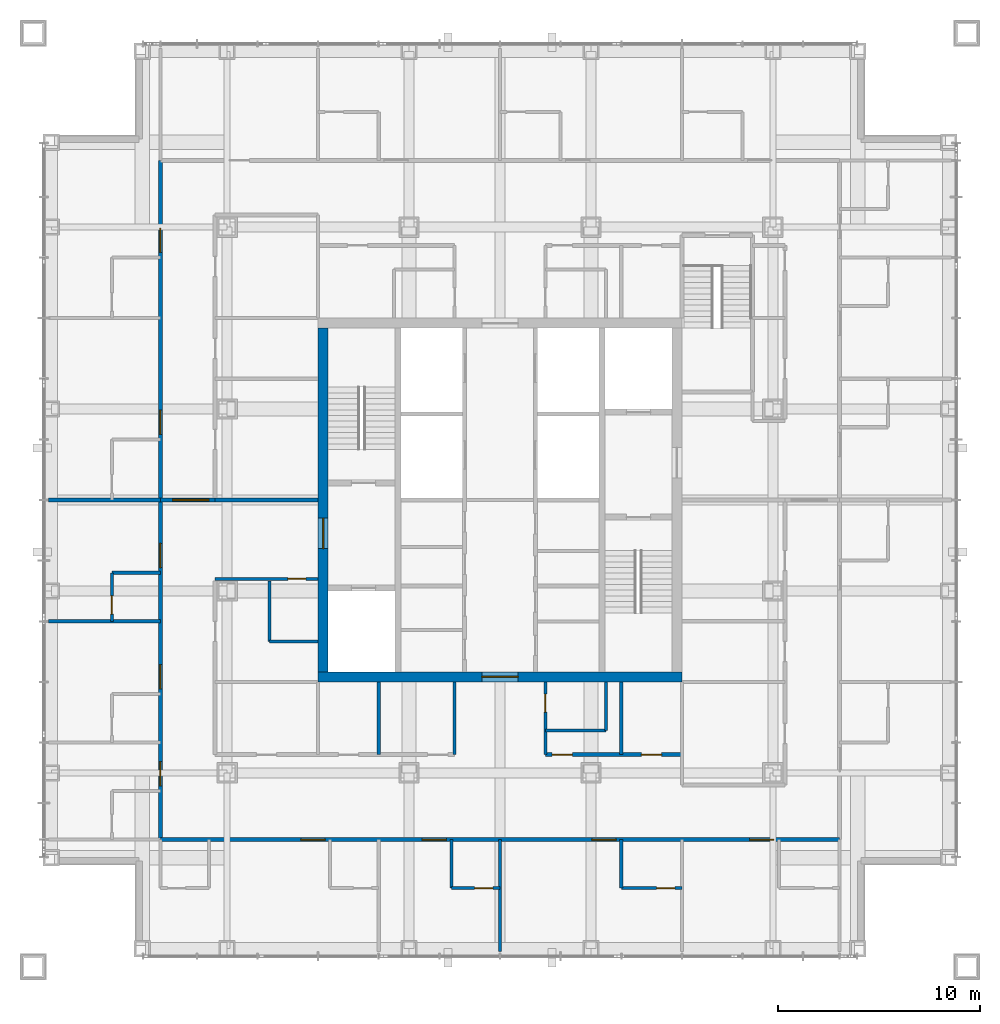
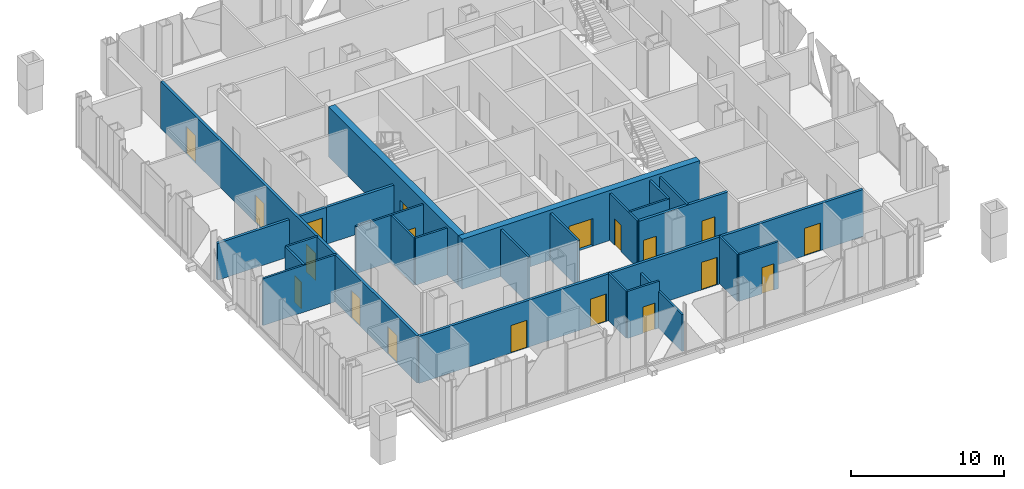
# One storey, part 8 of 25: 25 walls, 19 doors, 19 openings.
"""IFC4 building model written with IfcOpenShell, lengths in metres."""

from ifc_helpers import new_model, si_unit, direction, frame, frame_2d, origin, place, context, subcontext, project, spatial, rectangle, extrude, material, layer, layer_set, type_object, element, fill, save


model = new_model("IFC4")

# Units and contexts
model_context = context("Model", 3, precision=1e-05, world=origin(), true_north=direction((0.0, 1.0)))
body_context = subcontext(model_context, "Body", "Model", "MODEL_VIEW")
ifc_project = project(units=[si_unit("LENGTHUNIT", "METRE"), si_unit("AREAUNIT", "SQUARE_METRE"), si_unit("VOLUMEUNIT", "CUBIC_METRE"), si_unit("PLANEANGLEUNIT", "RADIAN"), si_unit("MASSUNIT", "GRAM", prefix="KILO")], contexts=[model_context])

# Site, building, storey
site_placement = place(None, origin())
site = spatial("IfcSite", under=ifc_project, at=site_placement, CompositionType="ELEMENT")
building_placement = place(site_placement, origin())
building = spatial("IfcBuilding", under=site, at=building_placement, Name="Malebo Sky Hospital", CompositionType="ELEMENT")
storey_placement = place(building_placement, frame((0.0, 0.0, 241.0)))
storey = spatial("IfcBuildingStorey", under=building, at=storey_placement, Name="L58", CompositionType="ELEMENT", Elevation=241.0)

# Wall, opening, door
ifc_material_1 = material(Name="Concrete C80/95", Category="concrete")
ifc_layer_1 = layer(ifc_material_1, 0.5)
ifc_layer_set_1 = layer_set([ifc_layer_1], Name="CORE WALL 500")
wall_type_1 = type_object("IfcWallType", Name="CORE WALL 500", PredefinedType="SHEAR", material=ifc_layer_set_1)
wall_1_placement = place(storey_placement, frame((51.0, 53.25, 0.0), z_axis=(0.0, 0.0, 1.0), x_axis=(1.0, 0.0, 0.0)))
wall_1 = element("IfcWall", 1, at=wall_1_placement, inside=storey, type_object=wall_type_1, Name="Core wall S L58", PredefinedType="SHEAR", context=body_context, shape_type="SweptSolid", body=[
    extrude(rectangle(XDim=18.0, YDim=0.5, at=frame_2d((9.0, 0.0))), origin(), (0.0, 0.0, 1.0), 4.0),
])
opening_1_placement = place(wall_1_placement, frame((8.10009765625, 0.0, 0.0)))
opening_1 = element("IfcOpeningElement", 2, at=opening_1_placement, cuts=wall_1, Name="Opening D06", PredefinedType="OPENING", context=body_context, shape_type="SweptSolid", body=[
    extrude(rectangle(XDim=1.800048828125, YDim=2.199951171875, at=frame_2d((0.89990234375, 1.10009765625))), frame((0.0, 0.260009765625, 0.0), z_axis=(0.0, -1.0, 0.0), x_axis=(1.0, 0.0, 0.0)), (0.0, 0.0, 1.0), 0.52001953125),
])
ifc_material_2 = material(Name="Hardwood-faced door leaf in steel frame", Category="steel")
door_type_1 = type_object("IfcDoorType", Name="LOBBY DOOR PAIR 1800", OperationType="DOUBLE_DOOR_SINGLE_SWING", PredefinedType="DOOR", material=ifc_material_2)
door_1_placement = place(opening_1_placement, origin())
door_1 = element("IfcDoor", 3, at=door_1_placement, inside=storey, type_object=door_type_1, Name="Service lobby door south", OperationType="DOUBLE_DOOR_SINGLE_SWING", OverallHeight=2.199951171875, OverallWidth=1.800048828125, PredefinedType="DOOR", context=body_context, shape_type="SweptSolid", body=[
    extrude(rectangle(XDim=1.800048828125, YDim=2.199951171875, at=frame_2d((0.89990234375, 1.10009765625))), frame((0.0, 0.02490234375, 0.0), z_axis=(0.0, -1.0, 0.0), x_axis=(1.0, 0.0, 0.0)), (0.0, 0.0, 1.0), 0.050048828125),
])
fill(opening_1, door_1)

wall_2_placement = place(storey_placement, frame((51.25, 53.5, 0.0), z_axis=(0.0, 0.0, 1.0), x_axis=(0.0, 1.0, 0.0)))
wall_2 = element("IfcWall", 4, at=wall_2_placement, inside=storey, type_object=wall_type_1, Name="Core wall W L58", PredefinedType="SHEAR", context=body_context, shape_type="SweptSolid", body=[
    extrude(rectangle(XDim=17.0, YDim=0.5, at=frame_2d((8.5, 0.0))), origin(), (0.0, 0.0, 1.0), 4.0),
])
opening_2_placement = place(wall_2_placement, frame((6.10009765625, 0.0, 0.0)))
opening_2 = element("IfcOpeningElement", 5, at=opening_2_placement, cuts=wall_2, Name="Opening D07", PredefinedType="OPENING", context=body_context, shape_type="SweptSolid", body=[
    extrude(rectangle(XDim=1.5, YDim=2.199951171875, at=frame_2d((0.75, 1.10009765625))), frame((0.0, 0.260009765625, 0.0), z_axis=(0.0, -1.0, 0.0), x_axis=(1.0, 0.0, 0.0)), (0.0, 0.0, 1.0), 0.52001953125),
])
door_type_2 = type_object("IfcDoorType", Name="FIRE-FIGHTING LOBBY DOOR PAIR 1500", OperationType="DOUBLE_DOOR_SINGLE_SWING", PredefinedType="DOOR", material=ifc_material_2)
door_2_placement = place(opening_2_placement, origin())
door_2 = element("IfcDoor", 6, at=door_2_placement, inside=storey, type_object=door_type_2, Name="Fire-fighting lobby door west", OperationType="DOUBLE_DOOR_SINGLE_SWING", OverallHeight=2.199951171875, OverallWidth=1.5, PredefinedType="DOOR", context=body_context, shape_type="SweptSolid", body=[
    extrude(rectangle(XDim=1.5, YDim=2.199951171875, at=frame_2d((0.75, 1.10009765625))), frame((0.0, 0.02490234375, 0.0), z_axis=(0.0, -1.0, 0.0), x_axis=(1.0, 0.0, 0.0)), (0.0, 0.0, 1.0), 0.050048828125),
])
fill(opening_2, door_2)

# Wall, openings, doors
ifc_material_3 = material(Name="Gypsum board on steel studs", Category="steel")
ifc_layer_2 = layer(ifc_material_3, 0.199951171875)
ifc_layer_set_2 = layer_set([ifc_layer_2], Name="CORRIDOR WALL 200")
wall_type_2 = type_object("IfcWallType", Name="CORRIDOR WALL 200", PredefinedType="PARTITIONING", material=ifc_layer_set_2)
wall_3_placement = place(storey_placement, frame((43.199951171875, 45.199951171875, 0.0), z_axis=(0.0, 0.0, 1.0), x_axis=(0.0, 1.0, 0.0)))
wall_3 = element("IfcWall", 7, at=wall_3_placement, inside=storey, type_object=wall_type_2, Name="Corridor Wall 200 WCO", PredefinedType="PARTITIONING", context=body_context, shape_type="SweptSolid", body=[
    extrude(rectangle(XDim=33.60009765625, YDim=0.199951171875, at=frame_2d((16.800048828125, 0.0))), origin(), (0.0, 0.0, 1.0), 3.75),
])
opening_3_placement = place(wall_3_placement, frame((2.64990234375, 0.0, 0.0)))
opening_3 = element("IfcOpeningElement", 8, at=opening_3_placement, cuts=wall_3, Name="Opening D01", PredefinedType="OPENING", context=body_context, shape_type="SweptSolid", body=[
    extrude(rectangle(XDim=1.199951171875, YDim=2.199951171875, at=frame_2d((0.60009765625, 1.10009765625))), frame((0.0, 0.10986328125, 0.0), z_axis=(0.0, -1.0, 0.0), x_axis=(1.0, 0.0, 0.0)), (0.0, 0.0, 1.0), 0.219970703125),
])
opening_4_placement = place(wall_3_placement, frame((7.449951171875, 0.0, 0.0)))
opening_4 = element("IfcOpeningElement", 9, at=opening_4_placement, cuts=wall_3, Name="Opening D01", PredefinedType="OPENING", context=body_context, shape_type="SweptSolid", body=[
    extrude(rectangle(XDim=1.199951171875, YDim=2.199951171875, at=frame_2d((0.60009765625, 1.10009765625))), frame((0.0, 0.10986328125, 0.0), z_axis=(0.0, -1.0, 0.0), x_axis=(1.0, 0.0, 0.0)), (0.0, 0.0, 1.0), 0.219970703125),
])
opening_5_placement = place(wall_3_placement, frame((13.449951171875, 0.0, 0.0)))
opening_5 = element("IfcOpeningElement", 10, at=opening_5_placement, cuts=wall_3, Name="Opening D01", PredefinedType="OPENING", context=body_context, shape_type="SweptSolid", body=[
    extrude(rectangle(XDim=1.199951171875, YDim=2.199951171875, at=frame_2d((0.60009765625, 1.10009765625))), frame((0.0, 0.10986328125, 0.0), z_axis=(0.0, -1.0, 0.0), x_axis=(1.0, 0.0, 0.0)), (0.0, 0.0, 1.0), 0.219970703125),
])
opening_6_placement = place(wall_3_placement, frame((20.050048828125, 0.0, 0.0)))
opening_6 = element("IfcOpeningElement", 11, at=opening_6_placement, cuts=wall_3, Name="Opening D01", PredefinedType="OPENING", context=body_context, shape_type="SweptSolid", body=[
    extrude(rectangle(XDim=1.199951171875, YDim=2.199951171875, at=frame_2d((0.60009765625, 1.10009765625))), frame((0.0, 0.10986328125, 0.0), z_axis=(0.0, -1.0, 0.0), x_axis=(1.0, 0.0, 0.0)), (0.0, 0.0, 1.0), 0.219970703125),
])
opening_7_placement = place(wall_3_placement, frame((29.050048828125, 0.0, 0.0)))
opening_7 = element("IfcOpeningElement", 12, at=opening_7_placement, cuts=wall_3, Name="Opening D01", PredefinedType="OPENING", context=body_context, shape_type="SweptSolid", body=[
    extrude(rectangle(XDim=1.199951171875, YDim=2.199951171875, at=frame_2d((0.60009765625, 1.10009765625))), frame((0.0, 0.10986328125, 0.0), z_axis=(0.0, -1.0, 0.0), x_axis=(1.0, 0.0, 0.0)), (0.0, 0.0, 1.0), 0.219970703125),
])
door_type_3 = type_object("IfcDoorType", Name="BED DOOR 1200", OperationType="SINGLE_SWING_LEFT", PredefinedType="DOOR", material=ifc_material_2)
door_3_placement = place(opening_3_placement, origin())
door_3 = element("IfcDoor", 13, at=door_3_placement, inside=storey, type_object=door_type_3, Name="Single bed room door", OperationType="SINGLE_SWING_LEFT", OverallHeight=2.199951171875, OverallWidth=1.199951171875, PredefinedType="DOOR", context=body_context, shape_type="SweptSolid", body=[
    extrude(rectangle(XDim=1.199951171875, YDim=2.199951171875, at=frame_2d((0.60009765625, 1.10009765625))), frame((0.0, 0.02490234375, 0.0), z_axis=(0.0, -1.0, 0.0), x_axis=(1.0, 0.0, 0.0)), (0.0, 0.0, 1.0), 0.050048828125),
])
fill(opening_3, door_3)
door_4_placement = place(opening_4_placement, origin())
door_4 = element("IfcDoor", 14, at=door_4_placement, inside=storey, type_object=door_type_3, Name="Single bed room door", OperationType="SINGLE_SWING_LEFT", OverallHeight=2.199951171875, OverallWidth=1.199951171875, PredefinedType="DOOR", context=body_context, shape_type="SweptSolid", body=[
    extrude(rectangle(XDim=1.199951171875, YDim=2.199951171875, at=frame_2d((0.60009765625, 1.10009765625))), frame((0.0, 0.02490234375, 0.0), z_axis=(0.0, -1.0, 0.0), x_axis=(1.0, 0.0, 0.0)), (0.0, 0.0, 1.0), 0.050048828125),
])
fill(opening_4, door_4)
door_5_placement = place(opening_5_placement, origin())
door_5 = element("IfcDoor", 15, at=door_5_placement, inside=storey, type_object=door_type_3, Name="Parent room door", OperationType="SINGLE_SWING_LEFT", OverallHeight=2.199951171875, OverallWidth=1.199951171875, PredefinedType="DOOR", context=body_context, shape_type="SweptSolid", body=[
    extrude(rectangle(XDim=1.199951171875, YDim=2.199951171875, at=frame_2d((0.60009765625, 1.10009765625))), frame((0.0, 0.02490234375, 0.0), z_axis=(0.0, -1.0, 0.0), x_axis=(1.0, 0.0, 0.0)), (0.0, 0.0, 1.0), 0.050048828125),
])
fill(opening_5, door_5)
door_6_placement = place(opening_6_placement, origin())
door_6 = element("IfcDoor", 16, at=door_6_placement, inside=storey, type_object=door_type_3, Name="Two-bed room door", OperationType="SINGLE_SWING_LEFT", OverallHeight=2.199951171875, OverallWidth=1.199951171875, PredefinedType="DOOR", context=body_context, shape_type="SweptSolid", body=[
    extrude(rectangle(XDim=1.199951171875, YDim=2.199951171875, at=frame_2d((0.60009765625, 1.10009765625))), frame((0.0, 0.02490234375, 0.0), z_axis=(0.0, -1.0, 0.0), x_axis=(1.0, 0.0, 0.0)), (0.0, 0.0, 1.0), 0.050048828125),
])
fill(opening_6, door_6)
door_7_placement = place(opening_7_placement, origin())
door_7 = element("IfcDoor", 17, at=door_7_placement, inside=storey, type_object=door_type_3, Name="Two-bed room door", OperationType="SINGLE_SWING_LEFT", OverallHeight=2.199951171875, OverallWidth=1.199951171875, PredefinedType="DOOR", context=body_context, shape_type="SweptSolid", body=[
    extrude(rectangle(XDim=1.199951171875, YDim=2.199951171875, at=frame_2d((0.60009765625, 1.10009765625))), frame((0.0, 0.02490234375, 0.0), z_axis=(0.0, -1.0, 0.0), x_axis=(1.0, 0.0, 0.0)), (0.0, 0.0, 1.0), 0.050048828125),
])
fill(opening_7, door_7)

wall_4_placement = place(storey_placement, frame((76.800048828125, 45.199951171875, 0.0), z_axis=(0.0, 0.0, 1.0), x_axis=(-1.0, 0.0, 0.0)))
wall_4 = element("IfcWall", 18, at=wall_4_placement, inside=storey, type_object=wall_type_2, Name="Corridor Wall 200 SCO", PredefinedType="PARTITIONING", context=body_context, shape_type="SweptSolid", body=[
    extrude(rectangle(XDim=33.60009765625, YDim=0.199951171875, at=frame_2d((16.800048828125, 0.0))), origin(), (0.0, 0.0, 1.0), 3.75),
])
opening_8_placement = place(wall_4_placement, frame((3.25, 0.0, 0.0)))
opening_8 = element("IfcOpeningElement", 19, at=opening_8_placement, cuts=wall_4, Name="Opening D01", PredefinedType="OPENING", context=body_context, shape_type="SweptSolid", body=[
    extrude(rectangle(XDim=1.199951171875, YDim=2.199951171875, at=frame_2d((0.60009765625, 1.10009765625))), frame((0.0, 0.10986328125, 0.0), z_axis=(0.0, -1.0, 0.0), x_axis=(1.0, 0.0, 0.0)), (0.0, 0.0, 1.0), 0.219970703125),
])
opening_9_placement = place(wall_4_placement, frame((11.050048828125, 0.0, 0.0)))
opening_9 = element("IfcOpeningElement", 20, at=opening_9_placement, cuts=wall_4, Name="Opening D01", PredefinedType="OPENING", context=body_context, shape_type="SweptSolid", body=[
    extrude(rectangle(XDim=1.199951171875, YDim=2.199951171875, at=frame_2d((0.60009765625, 1.10009765625))), frame((0.0, 0.10986328125, 0.0), z_axis=(0.0, -1.0, 0.0), x_axis=(1.0, 0.0, 0.0)), (0.0, 0.0, 1.0), 0.219970703125),
])
opening_10_placement = place(wall_4_placement, frame((19.449951171875, 0.0, 0.0)))
opening_10 = element("IfcOpeningElement", 21, at=opening_10_placement, cuts=wall_4, Name="Opening D01", PredefinedType="OPENING", context=body_context, shape_type="SweptSolid", body=[
    extrude(rectangle(XDim=1.199951171875, YDim=2.199951171875, at=frame_2d((0.60009765625, 1.10009765625))), frame((0.0, 0.10986328125, 0.0), z_axis=(0.0, -1.0, 0.0), x_axis=(1.0, 0.0, 0.0)), (0.0, 0.0, 1.0), 0.219970703125),
])
opening_11_placement = place(wall_4_placement, frame((25.449951171875, 0.0, 0.0)))
opening_11 = element("IfcOpeningElement", 22, at=opening_11_placement, cuts=wall_4, Name="Opening D01", PredefinedType="OPENING", context=body_context, shape_type="SweptSolid", body=[
    extrude(rectangle(XDim=1.199951171875, YDim=2.199951171875, at=frame_2d((0.60009765625, 1.10009765625))), frame((0.0, 0.10986328125, 0.0), z_axis=(0.0, -1.0, 0.0), x_axis=(1.0, 0.0, 0.0)), (0.0, 0.0, 1.0), 0.219970703125),
])
door_8_placement = place(opening_8_placement, origin())
door_8 = element("IfcDoor", 23, at=door_8_placement, inside=storey, type_object=door_type_3, Name="Two-bed room door", OperationType="SINGLE_SWING_LEFT", OverallHeight=2.199951171875, OverallWidth=1.199951171875, PredefinedType="DOOR", context=body_context, shape_type="SweptSolid", body=[
    extrude(rectangle(XDim=1.199951171875, YDim=2.199951171875, at=frame_2d((0.60009765625, 1.10009765625))), frame((0.0, 0.02490234375, 0.0), z_axis=(0.0, -1.0, 0.0), x_axis=(1.0, 0.0, 0.0)), (0.0, 0.0, 1.0), 0.050048828125),
])
fill(opening_8, door_8)
door_9_placement = place(opening_9_placement, origin())
door_9 = element("IfcDoor", 24, at=door_9_placement, inside=storey, type_object=door_type_3, Name="Two-bed room door", OperationType="SINGLE_SWING_LEFT", OverallHeight=2.199951171875, OverallWidth=1.199951171875, PredefinedType="DOOR", context=body_context, shape_type="SweptSolid", body=[
    extrude(rectangle(XDim=1.199951171875, YDim=2.199951171875, at=frame_2d((0.60009765625, 1.10009765625))), frame((0.0, 0.02490234375, 0.0), z_axis=(0.0, -1.0, 0.0), x_axis=(1.0, 0.0, 0.0)), (0.0, 0.0, 1.0), 0.050048828125),
])
fill(opening_9, door_9)
door_10_placement = place(opening_10_placement, origin())
door_10 = element("IfcDoor", 25, at=door_10_placement, inside=storey, type_object=door_type_3, Name="Single bed room door", OperationType="SINGLE_SWING_LEFT", OverallHeight=2.199951171875, OverallWidth=1.199951171875, PredefinedType="DOOR", context=body_context, shape_type="SweptSolid", body=[
    extrude(rectangle(XDim=1.199951171875, YDim=2.199951171875, at=frame_2d((0.60009765625, 1.10009765625))), frame((0.0, 0.02490234375, 0.0), z_axis=(0.0, -1.0, 0.0), x_axis=(1.0, 0.0, 0.0)), (0.0, 0.0, 1.0), 0.050048828125),
])
fill(opening_10, door_10)
door_11_placement = place(opening_11_placement, origin())
door_11 = element("IfcDoor", 26, at=door_11_placement, inside=storey, type_object=door_type_3, Name="Four-bed bay door", OperationType="SINGLE_SWING_LEFT", OverallHeight=2.199951171875, OverallWidth=1.199951171875, PredefinedType="DOOR", context=body_context, shape_type="SweptSolid", body=[
    extrude(rectangle(XDim=1.199951171875, YDim=2.199951171875, at=frame_2d((0.60009765625, 1.10009765625))), frame((0.0, 0.02490234375, 0.0), z_axis=(0.0, -1.0, 0.0), x_axis=(1.0, 0.0, 0.0)), (0.0, 0.0, 1.0), 0.050048828125),
])
fill(opening_11, door_11)

wall_5_placement = place(storey_placement, frame((69.0, 49.39990234375, 0.0), z_axis=(0.0, 0.0, 1.0), x_axis=(-1.0, 0.0, 0.0)))
wall_5 = element("IfcWall", 27, at=wall_5_placement, inside=storey, type_object=wall_type_2, Name="Corridor Wall 200 SCI1", PredefinedType="PARTITIONING", context=body_context, shape_type="SweptSolid", body=[
    extrude(rectangle(XDim=6.75, YDim=0.199951171875, at=frame_2d((3.375, 0.0))), origin(), (0.0, 0.0, 1.0), 3.75),
])
opening_12_placement = place(wall_5_placement, frame((1.0, 0.0, 0.0)))
opening_12 = element("IfcOpeningElement", 28, at=opening_12_placement, cuts=wall_5, Name="Opening D03", PredefinedType="OPENING", context=body_context, shape_type="SweptSolid", body=[
    extrude(rectangle(XDim=1.0, YDim=2.10009765625, at=frame_2d((0.5, 1.050048828125))), frame((0.0, 0.10986328125, 0.0), z_axis=(0.0, -1.0, 0.0), x_axis=(1.0, 0.0, 0.0)), (0.0, 0.0, 1.0), 0.219970703125),
])
opening_13_placement = place(wall_5_placement, frame((5.425048828125, 0.0, 0.0)))
opening_13 = element("IfcOpeningElement", 29, at=opening_13_placement, cuts=wall_5, Name="Opening D03", PredefinedType="OPENING", context=body_context, shape_type="SweptSolid", body=[
    extrude(rectangle(XDim=1.0, YDim=2.10009765625, at=frame_2d((0.5, 1.050048828125))), frame((0.0, 0.10986328125, 0.0), z_axis=(0.0, -1.0, 0.0), x_axis=(1.0, 0.0, 0.0)), (0.0, 0.0, 1.0), 0.219970703125),
])
door_type_4 = type_object("IfcDoorType", Name="ROOM DOOR 1000", OperationType="SINGLE_SWING_LEFT", PredefinedType="DOOR", material=ifc_material_2)
door_12_placement = place(opening_12_placement, origin())
door_12 = element("IfcDoor", 30, at=door_12_placement, inside=storey, type_object=door_type_4, Name="Dirty utility room door", OperationType="SINGLE_SWING_LEFT", OverallHeight=2.10009765625, OverallWidth=1.0, PredefinedType="DOOR", context=body_context, shape_type="SweptSolid", body=[
    extrude(rectangle(XDim=1.0, YDim=2.10009765625, at=frame_2d((0.5, 1.050048828125))), frame((0.0, 0.02490234375, 0.0), z_axis=(0.0, -1.0, 0.0), x_axis=(1.0, 0.0, 0.0)), (0.0, 0.0, 1.0), 0.050048828125),
])
fill(opening_12, door_12)
door_13_placement = place(opening_13_placement, origin())
door_13 = element("IfcDoor", 31, at=door_13_placement, inside=storey, type_object=door_type_4, Name="Linen store door", OperationType="SINGLE_SWING_RIGHT", OverallHeight=2.10009765625, OverallWidth=1.0, PredefinedType="DOOR", context=body_context, shape_type="SweptSolid", body=[
    extrude(rectangle(XDim=1.0, YDim=2.10009765625, at=frame_2d((0.5, 1.050048828125))), frame((0.0, 0.02490234375, 0.0), z_axis=(0.0, -1.0, 0.0), x_axis=(1.0, 0.0, 0.0)), (0.0, 0.0, 1.0), 0.050048828125),
])
fill(opening_13, door_13)

# Wall
ifc_layer_3 = layer(ifc_material_3, 0.14990234375)
ifc_layer_set_3 = layer_set([ifc_layer_3], Name="PARTITION 150")
wall_type_3 = type_object("IfcWallType", Name="PARTITION 150", PredefinedType="PARTITIONING", material=ifc_layer_set_3)
wall_6_placement = place(storey_placement, frame((43.199951171875, 56.0, 0.0), z_axis=(0.0, 0.0, 1.0), x_axis=(-1.0, 0.0, 0.0)))
element("IfcWall", 32, at=wall_6_placement, inside=storey, type_object=wall_type_3, Name="Partition 150 WP-6.0", PredefinedType="PARTITIONING", context=body_context, shape_type="SweptSolid", body=[
    extrude(rectangle(XDim=5.550048828125, YDim=0.14990234375, at=frame_2d((2.77490234375, 0.0))), origin(), (0.0, 0.0, 1.0), 3.75),
])

# Wall, opening, door
wall_7_placement = place(storey_placement, frame((40.800048828125, 56.0, 0.0), z_axis=(0.0, 0.0, 1.0), x_axis=(0.0, 1.0, 0.0)))
wall_7 = element("IfcWall", 33, at=wall_7_placement, inside=storey, type_object=wall_type_3, Name="Partition 150 WE2F", PredefinedType="PARTITIONING", context=body_context, shape_type="SweptSolid", body=[
    extrude(rectangle(XDim=2.39990234375, YDim=0.14990234375, at=frame_2d((1.199951171875, 0.0))), origin(), (0.0, 0.0, 1.0), 3.75),
])
opening_14_placement = place(wall_7_placement, frame((0.35009765625, 0.0, 0.0)))
opening_14 = element("IfcOpeningElement", 34, at=opening_14_placement, cuts=wall_7, Name="Opening D02", PredefinedType="OPENING", context=body_context, shape_type="SweptSolid", body=[
    extrude(rectangle(XDim=0.89990234375, YDim=2.10009765625, at=frame_2d((0.449951171875, 1.050048828125))), frame((0.0, 0.0849609375, 0.0), z_axis=(0.0, -1.0, 0.0), x_axis=(1.0, 0.0, 0.0)), (0.0, 0.0, 1.0), 0.169921875),
])
door_type_5 = type_object("IfcDoorType", Name="EN-SUITE DOOR 900", OperationType="SINGLE_SWING_LEFT", PredefinedType="DOOR", material=ifc_material_2)
door_14_placement = place(opening_14_placement, origin())
door_14 = element("IfcDoor", 35, at=door_14_placement, inside=storey, type_object=door_type_5, Name="En-suite door", OperationType="SINGLE_SWING_LEFT", OverallHeight=2.10009765625, OverallWidth=0.89990234375, PredefinedType="DOOR", context=body_context, shape_type="SweptSolid", body=[
    extrude(rectangle(XDim=0.89990234375, YDim=2.10009765625, at=frame_2d((0.449951171875, 1.050048828125))), frame((0.0, 0.02490234375, 0.0), z_axis=(0.0, -1.0, 0.0), x_axis=(1.0, 0.0, 0.0)), (0.0, 0.0, 1.0), 0.050048828125),
])
fill(opening_14, door_14)

# Wall
wall_8_placement = place(storey_placement, frame((43.199951171875, 58.39990234375, 0.0), z_axis=(0.0, 0.0, 1.0), x_axis=(-1.0, 0.0, 0.0)))
element("IfcWall", 36, at=wall_8_placement, inside=storey, type_object=wall_type_3, Name="Partition 150 WE2S", PredefinedType="PARTITIONING", context=body_context, shape_type="SweptSolid", body=[
    extrude(rectangle(XDim=2.39990234375, YDim=0.14990234375, at=frame_2d((1.199951171875, 0.0))), origin(), (0.0, 0.0, 1.0), 3.75),
])

# Wall, opening, door
wall_9_placement = place(storey_placement, frame((51.0, 58.10009765625, 0.0), z_axis=(0.0, 0.0, 1.0), x_axis=(-1.0, 0.0, 0.0)))
wall_9 = element("IfcWall", 37, at=wall_9_placement, inside=storey, type_object=wall_type_3, Name="Partition 150 WSPA", PredefinedType="PARTITIONING", context=body_context, shape_type="SweptSolid", body=[
    extrude(rectangle(XDim=5.10009765625, YDim=0.14990234375, at=frame_2d((2.550048828125, 0.0))), origin(), (0.0, 0.0, 1.0), 3.75),
])
opening_15_placement = place(wall_9_placement, frame((0.60009765625, 0.0, 0.0)))
opening_15 = element("IfcOpeningElement", 38, at=opening_15_placement, cuts=wall_9, Name="Opening D04", PredefinedType="OPENING", context=body_context, shape_type="SweptSolid", body=[
    extrude(rectangle(XDim=0.89990234375, YDim=2.10009765625, at=frame_2d((0.449951171875, 1.050048828125))), frame((0.0, 0.0849609375, 0.0), z_axis=(0.0, -1.0, 0.0), x_axis=(1.0, 0.0, 0.0)), (0.0, 0.0, 1.0), 0.169921875),
])
door_type_6 = type_object("IfcDoorType", Name="ROOM DOOR 900", OperationType="SINGLE_SWING_LEFT", PredefinedType="DOOR", material=ifc_material_2)
door_15_placement = place(opening_15_placement, origin())
door_15 = element("IfcDoor", 39, at=door_15_placement, inside=storey, type_object=door_type_6, Name="Cleaner's room door", OperationType="SINGLE_SWING_LEFT", OverallHeight=2.10009765625, OverallWidth=0.89990234375, PredefinedType="DOOR", context=body_context, shape_type="SweptSolid", body=[
    extrude(rectangle(XDim=0.89990234375, YDim=2.10009765625, at=frame_2d((0.449951171875, 1.050048828125))), frame((0.0, 0.02490234375, 0.0), z_axis=(0.0, -1.0, 0.0), x_axis=(1.0, 0.0, 0.0)), (0.0, 0.0, 1.0), 0.050048828125),
])
fill(opening_15, door_15)

# Walls
wall_10_placement = place(storey_placement, frame((48.60009765625, 55.0, 0.0), z_axis=(0.0, 0.0, 1.0), x_axis=(0.0, 1.0, 0.0)))
element("IfcWall", 40, at=wall_10_placement, inside=storey, type_object=wall_type_3, Name="Partition 150 WSX0", PredefinedType="PARTITIONING", context=body_context, shape_type="SweptSolid", body=[
    extrude(rectangle(XDim=3.0, YDim=0.14990234375, at=frame_2d((1.5, 0.0))), origin(), (0.0, 0.0, 1.0), 3.75),
])
wall_11_placement = place(storey_placement, frame((51.0, 55.0, 0.0), z_axis=(0.0, 0.0, 1.0), x_axis=(-1.0, 0.0, 0.0)))
element("IfcWall", 41, at=wall_11_placement, inside=storey, type_object=wall_type_3, Name="Partition 150 WSY0", PredefinedType="PARTITIONING", context=body_context, shape_type="SweptSolid", body=[
    extrude(rectangle(XDim=2.39990234375, YDim=0.14990234375, at=frame_2d((1.199951171875, 0.0))), origin(), (0.0, 0.0, 1.0), 3.75),
])
wall_12_placement = place(storey_placement, frame((60.0, 45.199951171875, 0.0), z_axis=(0.0, 0.0, 1.0), x_axis=(0.0, -1.0, 0.0)))
element("IfcWall", 42, at=wall_12_placement, inside=storey, type_object=wall_type_3, Name="Partition 150 SP+0.0", PredefinedType="PARTITIONING", context=body_context, shape_type="SweptSolid", body=[
    extrude(rectangle(XDim=5.550048828125, YDim=0.14990234375, at=frame_2d((2.77490234375, 0.0))), origin(), (0.0, 0.0, 1.0), 2.949951171875),
])

# Wall, opening, door
wall_13_placement = place(storey_placement, frame((69.0, 42.800048828125, 0.0), z_axis=(0.0, 0.0, 1.0), x_axis=(-1.0, 0.0, 0.0)))
wall_13 = element("IfcWall", 43, at=wall_13_placement, inside=storey, type_object=wall_type_3, Name="Partition 150 SE1F", PredefinedType="PARTITIONING", context=body_context, shape_type="SweptSolid", body=[
    extrude(rectangle(XDim=3.0, YDim=0.14990234375, at=frame_2d((1.5, 0.0))), origin(), (0.0, 0.0, 1.0), 3.75),
])
opening_16_placement = place(wall_13_placement, frame((0.35009765625, 0.0, 0.0)))
opening_16 = element("IfcOpeningElement", 44, at=opening_16_placement, cuts=wall_13, Name="Opening D02", PredefinedType="OPENING", context=body_context, shape_type="SweptSolid", body=[
    extrude(rectangle(XDim=0.89990234375, YDim=2.10009765625, at=frame_2d((0.449951171875, 1.050048828125))), frame((0.0, 0.0849609375, 0.0), z_axis=(0.0, -1.0, 0.0), x_axis=(1.0, 0.0, 0.0)), (0.0, 0.0, 1.0), 0.169921875),
])
door_16_placement = place(opening_16_placement, origin())
door_16 = element("IfcDoor", 45, at=door_16_placement, inside=storey, type_object=door_type_5, Name="En-suite door", OperationType="SINGLE_SWING_LEFT", OverallHeight=2.10009765625, OverallWidth=0.89990234375, PredefinedType="DOOR", context=body_context, shape_type="SweptSolid", body=[
    extrude(rectangle(XDim=0.89990234375, YDim=2.10009765625, at=frame_2d((0.449951171875, 1.050048828125))), frame((0.0, 0.02490234375, 0.0), z_axis=(0.0, -1.0, 0.0), x_axis=(1.0, 0.0, 0.0)), (0.0, 0.0, 1.0), 0.050048828125),
])
fill(opening_16, door_16)

# Wall
wall_14_placement = place(storey_placement, frame((66.0, 45.199951171875, 0.0), z_axis=(0.0, 0.0, 1.0), x_axis=(0.0, -1.0, 0.0)))
element("IfcWall", 46, at=wall_14_placement, inside=storey, type_object=wall_type_3, Name="Partition 150 SE1S", PredefinedType="PARTITIONING", context=body_context, shape_type="SweptSolid", body=[
    extrude(rectangle(XDim=2.39990234375, YDim=0.14990234375, at=frame_2d((1.199951171875, 0.0))), origin(), (0.0, 0.0, 1.0), 3.75),
])

# Wall, opening, door
wall_15_placement = place(storey_placement, frame((60.0, 42.800048828125, 0.0), z_axis=(0.0, 0.0, 1.0), x_axis=(-1.0, 0.0, 0.0)))
wall_15 = element("IfcWall", 47, at=wall_15_placement, inside=storey, type_object=wall_type_3, Name="Partition 150 SE2F", PredefinedType="PARTITIONING", context=body_context, shape_type="SweptSolid", body=[
    extrude(rectangle(XDim=2.39990234375, YDim=0.14990234375, at=frame_2d((1.199951171875, 0.0))), origin(), (0.0, 0.0, 1.0), 3.75),
])
opening_17_placement = place(wall_15_placement, frame((0.35009765625, 0.0, 0.0)))
opening_17 = element("IfcOpeningElement", 48, at=opening_17_placement, cuts=wall_15, Name="Opening D02", PredefinedType="OPENING", context=body_context, shape_type="SweptSolid", body=[
    extrude(rectangle(XDim=0.89990234375, YDim=2.10009765625, at=frame_2d((0.449951171875, 1.050048828125))), frame((0.0, 0.0849609375, 0.0), z_axis=(0.0, -1.0, 0.0), x_axis=(1.0, 0.0, 0.0)), (0.0, 0.0, 1.0), 0.169921875),
])
door_17_placement = place(opening_17_placement, origin())
door_17 = element("IfcDoor", 49, at=door_17_placement, inside=storey, type_object=door_type_5, Name="En-suite door", OperationType="SINGLE_SWING_LEFT", OverallHeight=2.10009765625, OverallWidth=0.89990234375, PredefinedType="DOOR", context=body_context, shape_type="SweptSolid", body=[
    extrude(rectangle(XDim=0.89990234375, YDim=2.10009765625, at=frame_2d((0.449951171875, 1.050048828125))), frame((0.0, 0.02490234375, 0.0), z_axis=(0.0, -1.0, 0.0), x_axis=(1.0, 0.0, 0.0)), (0.0, 0.0, 1.0), 0.050048828125),
])
fill(opening_17, door_17)

# Wall
wall_16_placement = place(storey_placement, frame((57.60009765625, 45.199951171875, 0.0), z_axis=(0.0, 0.0, 1.0), x_axis=(0.0, -1.0, 0.0)))
element("IfcWall", 50, at=wall_16_placement, inside=storey, type_object=wall_type_3, Name="Partition 150 SE2S", PredefinedType="PARTITIONING", context=body_context, shape_type="SweptSolid", body=[
    extrude(rectangle(XDim=2.39990234375, YDim=0.14990234375, at=frame_2d((1.199951171875, 0.0))), origin(), (0.0, 0.0, 1.0), 3.75),
])

# Wall, opening, door
wall_17_placement = place(storey_placement, frame((62.25, 53.0, 0.0), z_axis=(0.0, 0.0, 1.0), x_axis=(0.0, -1.0, 0.0)))
wall_17 = element("IfcWall", 51, at=wall_17_placement, inside=storey, type_object=wall_type_3, Name="Partition 150 SSPA", PredefinedType="PARTITIONING", context=body_context, shape_type="SweptSolid", body=[
    extrude(rectangle(XDim=3.60009765625, YDim=0.14990234375, at=frame_2d((1.800048828125, 0.0))), origin(), (0.0, 0.0, 1.0), 3.75),
])
opening_18_placement = place(wall_17_placement, frame((0.60009765625, 0.0, 0.0)))
opening_18 = element("IfcOpeningElement", 52, at=opening_18_placement, cuts=wall_17, Name="Opening D04", PredefinedType="OPENING", context=body_context, shape_type="SweptSolid", body=[
    extrude(rectangle(XDim=0.89990234375, YDim=2.10009765625, at=frame_2d((0.449951171875, 1.050048828125))), frame((0.0, 0.0849609375, 0.0), z_axis=(0.0, -1.0, 0.0), x_axis=(1.0, 0.0, 0.0)), (0.0, 0.0, 1.0), 0.169921875),
])
door_18_placement = place(opening_18_placement, origin())
door_18 = element("IfcDoor", 53, at=door_18_placement, inside=storey, type_object=door_type_6, Name="Visitor WC door", OperationType="SINGLE_SWING_LEFT", OverallHeight=2.10009765625, OverallWidth=0.89990234375, PredefinedType="DOOR", context=body_context, shape_type="SweptSolid", body=[
    extrude(rectangle(XDim=0.89990234375, YDim=2.10009765625, at=frame_2d((0.449951171875, 1.050048828125))), frame((0.0, 0.02490234375, 0.0), z_axis=(0.0, -1.0, 0.0), x_axis=(1.0, 0.0, 0.0)), (0.0, 0.0, 1.0), 0.050048828125),
])
fill(opening_18, door_18)

# Walls
for number, where, z_axis, x_axis, name in (
    (54, (57.75, 53.0, 0.0), (0.0, 0.0, 1.0), (0.0, -1.0, 0.0), "Partition 150 SSPB"),
    (55, (66.0, 53.0, 0.0), (0.0, 0.0, 1.0), (0.0, -1.0, 0.0), "Partition 150 SSP-6.0"),
    (56, (54.0, 53.0, 0.0), (0.0, 0.0, 1.0), (0.0, -1.0, 0.0), "Partition 150 SSP+6.0"),
):
    element("IfcWall", number, at=place(storey_placement, frame(where, z_axis=z_axis, x_axis=x_axis)), inside=storey, type_object=wall_type_3, Name=name, PredefinedType="PARTITIONING", context=body_context, shape_type="SweptSolid", body=[
        extrude(rectangle(XDim=3.60009765625, YDim=0.14990234375, at=frame_2d((1.800048828125, 0.0))), origin(), (0.0, 0.0, 1.0), 3.75),
    ])
wall_18_placement = place(storey_placement, frame((65.25, 50.60009765625, 0.0), z_axis=(0.0, 0.0, 1.0), x_axis=(-1.0, 0.0, 0.0)))
element("IfcWall", 57, at=wall_18_placement, inside=storey, type_object=wall_type_3, Name="Partition 150 SSX1", PredefinedType="PARTITIONING", context=body_context, shape_type="SweptSolid", body=[
    extrude(rectangle(XDim=3.0, YDim=0.14990234375, at=frame_2d((1.5, 0.0))), origin(), (0.0, 0.0, 1.0), 3.75),
])
wall_19_placement = place(storey_placement, frame((65.25, 53.0, 0.0), z_axis=(0.0, 0.0, 1.0), x_axis=(0.0, -1.0, 0.0)))
element("IfcWall", 58, at=wall_19_placement, inside=storey, type_object=wall_type_3, Name="Partition 150 SSY1", PredefinedType="PARTITIONING", context=body_context, shape_type="SweptSolid", body=[
    extrude(rectangle(XDim=2.39990234375, YDim=0.14990234375, at=frame_2d((1.199951171875, 0.0))), origin(), (0.0, 0.0, 1.0), 3.75),
])
ifc_material_4 = material(Name="Concrete blockwork", Category="masonry")
ifc_layer_4 = layer(ifc_material_4, 0.199951171875)
ifc_layer_set_4 = layer_set([ifc_layer_4], Name="SMOKE BARRIER WALL 200")
wall_type_4 = type_object("IfcWallType", Name="SMOKE BARRIER WALL 200", PredefinedType="SOLIDWALL", material=ifc_layer_set_4)
wall_20_placement = place(storey_placement, frame((43.199951171875, 62.0, 0.0), z_axis=(0.0, 0.0, 1.0), x_axis=(-1.0, 0.0, 0.0)))
element("IfcWall", 59, at=wall_20_placement, inside=storey, type_object=wall_type_4, Name="Smoke Barrier Wall 200 WP+0.0", PredefinedType="SOLIDWALL", context=body_context, shape_type="SweptSolid", body=[
    extrude(rectangle(XDim=5.550048828125, YDim=0.199951171875, at=frame_2d((2.77490234375, 0.0))), origin(), (0.0, 0.0, 1.0), 2.949951171875),
])
wall_21_placement = place(storey_placement, frame((51.0, 62.0, 0.0), z_axis=(0.0, 0.0, 1.0), x_axis=(-1.0, 0.0, 0.0)))
element("IfcWall", 60, at=wall_21_placement, inside=storey, type_object=wall_type_4, Name="Smoke Barrier Wall 200 WSPB", PredefinedType="SOLIDWALL", context=body_context, shape_type="SweptSolid", body=[
    extrude(rectangle(XDim=5.10009765625, YDim=0.199951171875, at=frame_2d((2.550048828125, 0.0))), origin(), (0.0, 0.0, 1.0), 2.949951171875),
])

# Wall, opening, door
wall_22_placement = place(storey_placement, frame((45.89990234375, 62.0, 0.0), z_axis=(0.0, 0.0, 1.0), x_axis=(-1.0, 0.0, 0.0)))
wall_22 = element("IfcWall", 61, at=wall_22_placement, inside=storey, type_object=wall_type_4, Name="Smoke Barrier Wall 200 WSB", PredefinedType="SOLIDWALL", context=body_context, shape_type="SweptSolid", body=[
    extrude(rectangle(XDim=2.699951171875, YDim=0.199951171875, at=frame_2d((1.35009765625, 0.0))), origin(), (0.0, 0.0, 1.0), 2.949951171875),
])
opening_19_placement = place(wall_22_placement, frame((0.300048828125, 0.0, 0.0)))
opening_19 = element("IfcOpeningElement", 62, at=opening_19_placement, cuts=wall_22, Name="Opening D05", PredefinedType="OPENING", context=body_context, shape_type="SweptSolid", body=[
    extrude(rectangle(XDim=1.800048828125, YDim=2.199951171875, at=frame_2d((0.89990234375, 1.10009765625))), frame((0.0, 0.10986328125, 0.0), z_axis=(0.0, -1.0, 0.0), x_axis=(1.0, 0.0, 0.0)), (0.0, 0.0, 1.0), 0.219970703125),
])
door_type_7 = type_object("IfcDoorType", Name="SMOKE DOOR PAIR 1800", OperationType="DOUBLE_DOOR_DOUBLE_SWING", PredefinedType="DOOR", material=ifc_material_2)
door_19_placement = place(opening_19_placement, origin())
door_19 = element("IfcDoor", 63, at=door_19_placement, inside=storey, type_object=door_type_7, Name="Smoke compartment door pair", OperationType="DOUBLE_DOOR_DOUBLE_SWING", OverallHeight=2.199951171875, OverallWidth=1.800048828125, PredefinedType="DOOR", context=body_context, shape_type="SweptSolid", body=[
    extrude(rectangle(XDim=1.800048828125, YDim=2.199951171875, at=frame_2d((0.89990234375, 1.10009765625))), frame((0.0, 0.02490234375, 0.0), z_axis=(0.0, -1.0, 0.0), x_axis=(1.0, 0.0, 0.0)), (0.0, 0.0, 1.0), 0.050048828125),
])
fill(opening_19, door_19)

save(model, "model.ifc")
